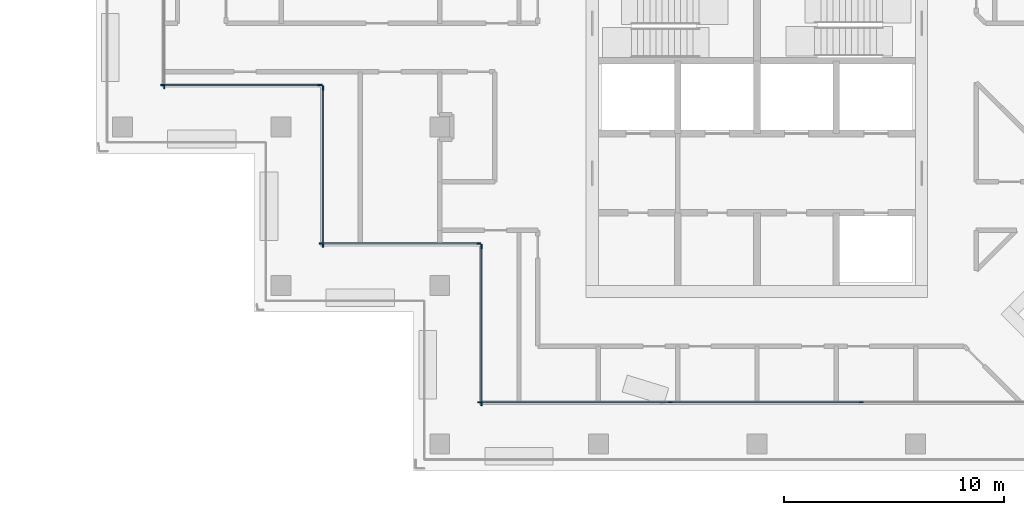
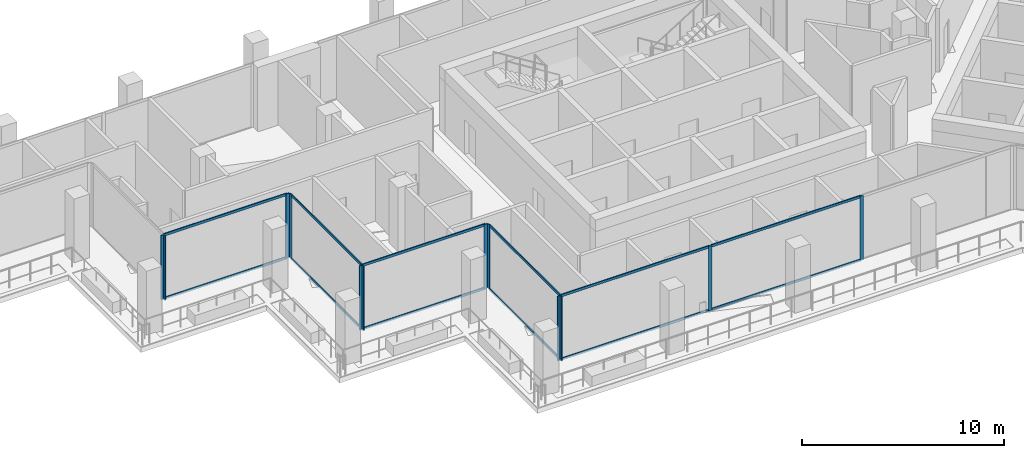
# One storey, part 2 of 19: 24 members, 6 elements without a shape of their own.
"""IFC4 building model written with IfcOpenShell, lengths in metres."""

from ifc_helpers import new_model, si_unit, direction, frame, origin, origin_2d, place, context, subcontext, project, spatial, rectangle, extrude, material, material_profile, profile_set, type_object, element, aggregate, save


model = new_model("IFC4")

# Units and contexts
model_context = context("Model", 3, precision=1e-05, world=origin(), true_north=direction((0.0, 1.0)))
body_context = subcontext(model_context, "Body", "Model", "MODEL_VIEW")
ifc_project = project(units=[si_unit("LENGTHUNIT", "METRE"), si_unit("AREAUNIT", "SQUARE_METRE"), si_unit("VOLUMEUNIT", "CUBIC_METRE"), si_unit("PLANEANGLEUNIT", "RADIAN"), si_unit("MASSUNIT", "GRAM", prefix="KILO")], contexts=[model_context])

# Site, building, storey
site_placement = place(None, origin())
site = spatial("IfcSite", under=ifc_project, at=site_placement, CompositionType="ELEMENT")
building_placement = place(site_placement, origin())
building = spatial("IfcBuilding", under=site, at=building_placement, Name="Windrow Commons", CompositionType="ELEMENT")
storey_placement = place(building_placement, frame((0.0, 0.0, 185.4)))
storey = spatial("IfcBuildingStorey", under=building, at=storey_placement, Name="L50", CompositionType="ELEMENT", Elevation=185.4)

# Curtain wall, member
ifc_material_1 = material(Name="Clear laminated glass in Aluminium 6063-T6 anodised frame", Category="aluminium")
curtain_wall_type = type_object("IfcCurtainWallType", Name="Curtain wall CW2H sky lounge upper", PredefinedType="USERDEFINED", material=ifc_material_1)
placement = place(storey_placement, origin())
curtain_wall_1 = element("IfcCurtainWall", 1, at=placement, inside=storey, type_object=curtain_wall_type, Name="Curtain wall CW2H L50 7", ObjectType="UNITISED", PredefinedType="USERDEFINED")
ifc_material_2 = material(Name="Aluminium 6063-T6", Category="aluminium")
ifc_material_profile_1 = material_profile(ifc_material_2, rectangle(XDim=0.06, YDim=0.2, at=origin_2d()))
ifc_profile_set_1 = profile_set([ifc_material_profile_1], Name="Aluminium 6063-T6")
member_type_1 = type_object("IfcMemberType", Name="CW2H mullion 60x200", PredefinedType="MULLION", material=ifc_profile_set_1)
member_1_placement = place(storey_placement, frame((37.9, 59.43, 0.0), z_axis=(0.0, 0.0, 1.0), x_axis=(1.0, 0.0, 0.0)))
member_1 = element("IfcMember", 2, at=member_1_placement, type_object=member_type_1, Name="CW2H mullion 2", PredefinedType="MULLION", context=body_context, shape_type="SweptSolid", body=[
    extrude(rectangle(XDim=0.06, YDim=0.2, at=origin_2d()), origin(), (0.0, 0.0, 1.0), 3.9),
])
aggregate(curtain_wall_1, [member_1])

# Curtain wall, members
curtain_wall_2 = element("IfcCurtainWall", 3, at=placement, inside=storey, type_object=curtain_wall_type, Name="Curtain wall CW2H L50 8", ObjectType="UNITISED", PredefinedType="USERDEFINED")
member_2_placement = place(storey_placement, frame((37.83, 59.5, 0.0), z_axis=(0.0, 0.0, 1.0), x_axis=(0.0, 1.0, 0.0)))
member_2 = element("IfcMember", 4, at=member_2_placement, type_object=member_type_1, Name="CW2H mullion 1", PredefinedType="MULLION", context=body_context, shape_type="SweptSolid", body=[
    extrude(rectangle(XDim=0.06, YDim=0.2, at=origin_2d()), origin(), (0.0, 0.0, 1.0), 3.9),
])
member_3_placement = place(storey_placement, frame((44.97, 59.5, 0.0), z_axis=(0.0, 0.0, 1.0), x_axis=(0.0, 1.0, 0.0)))
member_3 = element("IfcMember", 5, at=member_3_placement, type_object=member_type_1, Name="CW2H mullion 2", PredefinedType="MULLION", context=body_context, shape_type="SweptSolid", body=[
    extrude(rectangle(XDim=0.06, YDim=0.2, at=origin_2d()), origin(), (0.0, 0.0, 1.0), 3.9),
])

curtain_wall_3 = element("IfcCurtainWall", 6, at=placement, inside=storey, type_object=curtain_wall_type, Name="Curtain wall CW2H L50 9", ObjectType="UNITISED", PredefinedType="USERDEFINED")
member_4_placement = place(storey_placement, frame((45.1, 59.37, 0.0), z_axis=(0.0, 0.0, 1.0), x_axis=(1.0, 0.0, 0.0)))
member_4 = element("IfcMember", 7, at=member_4_placement, type_object=member_type_1, Name="CW2H mullion 1", PredefinedType="MULLION", context=body_context, shape_type="SweptSolid", body=[
    extrude(rectangle(XDim=0.06, YDim=0.2, at=origin_2d()), origin(), (0.0, 0.0, 1.0), 3.9),
])
member_5_placement = place(storey_placement, frame((45.1, 52.23, 0.0), z_axis=(0.0, 0.0, 1.0), x_axis=(1.0, 0.0, 0.0)))
member_5 = element("IfcMember", 8, at=member_5_placement, type_object=member_type_1, Name="CW2H mullion 2", PredefinedType="MULLION", context=body_context, shape_type="SweptSolid", body=[
    extrude(rectangle(XDim=0.06, YDim=0.2, at=origin_2d()), origin(), (0.0, 0.0, 1.0), 3.9),
])

curtain_wall_4 = element("IfcCurtainWall", 9, at=placement, inside=storey, type_object=curtain_wall_type, Name="Curtain wall CW2H L50 10", ObjectType="UNITISED", PredefinedType="USERDEFINED")
member_6_placement = place(storey_placement, frame((45.03, 52.3, 0.0), z_axis=(0.0, 0.0, 1.0), x_axis=(0.0, 1.0, 0.0)))
member_6 = element("IfcMember", 10, at=member_6_placement, type_object=member_type_1, Name="CW2H mullion 1", PredefinedType="MULLION", context=body_context, shape_type="SweptSolid", body=[
    extrude(rectangle(XDim=0.06, YDim=0.2, at=origin_2d()), origin(), (0.0, 0.0, 1.0), 3.9),
])
member_7_placement = place(storey_placement, frame((52.17, 52.3, 0.0), z_axis=(0.0, 0.0, 1.0), x_axis=(0.0, 1.0, 0.0)))
member_7 = element("IfcMember", 11, at=member_7_placement, type_object=member_type_1, Name="CW2H mullion 2", PredefinedType="MULLION", context=body_context, shape_type="SweptSolid", body=[
    extrude(rectangle(XDim=0.06, YDim=0.2, at=origin_2d()), origin(), (0.0, 0.0, 1.0), 3.9),
])

curtain_wall_5 = element("IfcCurtainWall", 12, at=placement, inside=storey, type_object=curtain_wall_type, Name="Curtain wall CW2H L50 11", ObjectType="UNITISED", PredefinedType="USERDEFINED")
member_8_placement = place(storey_placement, frame((52.3, 52.17, 0.0), z_axis=(0.0, 0.0, 1.0), x_axis=(1.0, 0.0, 0.0)))
member_8 = element("IfcMember", 13, at=member_8_placement, type_object=member_type_1, Name="CW2H mullion 1", PredefinedType="MULLION", context=body_context, shape_type="SweptSolid", body=[
    extrude(rectangle(XDim=0.06, YDim=0.2, at=origin_2d()), origin(), (0.0, 0.0, 1.0), 3.9),
])
member_9_placement = place(storey_placement, frame((52.3, 45.03, 0.0), z_axis=(0.0, 0.0, 1.0), x_axis=(1.0, 0.0, 0.0)))
member_9 = element("IfcMember", 14, at=member_9_placement, type_object=member_type_1, Name="CW2H mullion 2", PredefinedType="MULLION", context=body_context, shape_type="SweptSolid", body=[
    extrude(rectangle(XDim=0.06, YDim=0.2, at=origin_2d()), origin(), (0.0, 0.0, 1.0), 3.9),
])

curtain_wall_6 = element("IfcCurtainWall", 15, at=placement, inside=storey, type_object=curtain_wall_type, Name="Curtain wall CW2H L50 12", ObjectType="UNITISED", PredefinedType="USERDEFINED")
member_10_placement = place(storey_placement, frame((52.23, 45.1, 0.0), z_axis=(0.0, 0.0, 1.0), x_axis=(0.0, 1.0, 0.0)))
member_10 = element("IfcMember", 16, at=member_10_placement, type_object=member_type_1, Name="CW2H mullion 1", PredefinedType="MULLION", context=body_context, shape_type="SweptSolid", body=[
    extrude(rectangle(XDim=0.06, YDim=0.2, at=origin_2d()), origin(), (0.0, 0.0, 1.0), 3.9),
])
member_11_placement = place(storey_placement, frame((60.8662, 45.1, 0.0), z_axis=(0.0, 0.0, 1.0), x_axis=(0.0, 1.0, 0.0)))
member_11 = element("IfcMember", 17, at=member_11_placement, type_object=member_type_1, Name="CW2H mullion 2", PredefinedType="MULLION", context=body_context, shape_type="SweptSolid", body=[
    extrude(rectangle(XDim=0.06, YDim=0.2, at=origin_2d()), origin(), (0.0, 0.0, 1.0), 3.9),
])
member_12_placement = place(storey_placement, frame((69.5324, 45.1, 0.0), z_axis=(0.0, 0.0, 1.0), x_axis=(0.0, 1.0, 0.0)))
member_12 = element("IfcMember", 18, at=member_12_placement, type_object=member_type_1, Name="CW2H mullion 3", PredefinedType="MULLION", context=body_context, shape_type="SweptSolid", body=[
    extrude(rectangle(XDim=0.06, YDim=0.2, at=origin_2d()), origin(), (0.0, 0.0, 1.0), 3.9),
])

# Member
ifc_material_3 = material(Name="Aluminium 6063-T6", Category="aluminium")
ifc_material_profile_2 = material_profile(ifc_material_3, rectangle(XDim=0.06, YDim=0.15, at=origin_2d()))
ifc_profile_set_2 = profile_set([ifc_material_profile_2], Name="Aluminium 6063-T6")
member_type_2 = type_object("IfcMemberType", Name="CW2H transom 60x150", PredefinedType="USERDEFINED", material=ifc_profile_set_2)
member_13_placement = place(storey_placement, frame((37.86, 59.5, 0.03), z_axis=(1.0, 0.0, 0.0), x_axis=(0.0, 1.0, 0.0)))
member_13 = element("IfcMember", 19, at=member_13_placement, type_object=member_type_2, Name="CW2H transom 1.1", ObjectType="TRANSOM", PredefinedType="USERDEFINED", context=body_context, shape_type="SweptSolid", body=[
    extrude(rectangle(XDim=0.06, YDim=0.15, at=origin_2d()), origin(), (0.0, 0.0, 1.0), 7.08),
])

member_14_placement = place(storey_placement, frame((37.86, 59.5, 3.87), z_axis=(1.0, 0.0, 0.0), x_axis=(0.0, 1.0, 0.0)))
member_14 = element("IfcMember", 20, at=member_14_placement, type_object=member_type_2, Name="CW2H transom 1.2", ObjectType="TRANSOM", PredefinedType="USERDEFINED", context=body_context, shape_type="SweptSolid", body=[
    extrude(rectangle(XDim=0.06, YDim=0.15, at=origin_2d()), origin(), (0.0, 0.0, 1.0), 7.08),
])

aggregate(curtain_wall_2, [member_2, member_3, member_13, member_14])

member_15_placement = place(storey_placement, frame((45.1, 59.34, 0.03), z_axis=(0.0, -1.0, 0.0), x_axis=(1.0, 0.0, 0.0)))
member_15 = element("IfcMember", 21, at=member_15_placement, type_object=member_type_2, Name="CW2H transom 1.1", ObjectType="TRANSOM", PredefinedType="USERDEFINED", context=body_context, shape_type="SweptSolid", body=[
    extrude(rectangle(XDim=0.06, YDim=0.15, at=origin_2d()), origin(), (0.0, 0.0, 1.0), 7.08),
])

member_16_placement = place(storey_placement, frame((45.1, 59.34, 3.87), z_axis=(0.0, -1.0, 0.0), x_axis=(1.0, 0.0, 0.0)))
member_16 = element("IfcMember", 22, at=member_16_placement, type_object=member_type_2, Name="CW2H transom 1.2", ObjectType="TRANSOM", PredefinedType="USERDEFINED", context=body_context, shape_type="SweptSolid", body=[
    extrude(rectangle(XDim=0.06, YDim=0.15, at=origin_2d()), origin(), (0.0, 0.0, 1.0), 7.08),
])

aggregate(curtain_wall_3, [member_4, member_5, member_15, member_16])

member_17_placement = place(storey_placement, frame((45.06, 52.3, 0.03), z_axis=(1.0, 0.0, 0.0), x_axis=(0.0, 1.0, 0.0)))
member_17 = element("IfcMember", 23, at=member_17_placement, type_object=member_type_2, Name="CW2H transom 1.1", ObjectType="TRANSOM", PredefinedType="USERDEFINED", context=body_context, shape_type="SweptSolid", body=[
    extrude(rectangle(XDim=0.06, YDim=0.15, at=origin_2d()), origin(), (0.0, 0.0, 1.0), 7.08),
])

member_18_placement = place(storey_placement, frame((45.06, 52.3, 3.87), z_axis=(1.0, 0.0, 0.0), x_axis=(0.0, 1.0, 0.0)))
member_18 = element("IfcMember", 24, at=member_18_placement, type_object=member_type_2, Name="CW2H transom 1.2", ObjectType="TRANSOM", PredefinedType="USERDEFINED", context=body_context, shape_type="SweptSolid", body=[
    extrude(rectangle(XDim=0.06, YDim=0.15, at=origin_2d()), origin(), (0.0, 0.0, 1.0), 7.08),
])

aggregate(curtain_wall_4, [member_6, member_7, member_17, member_18])

member_19_placement = place(storey_placement, frame((52.3, 52.14, 0.03), z_axis=(0.0, -1.0, 0.0), x_axis=(1.0, 0.0, 0.0)))
member_19 = element("IfcMember", 25, at=member_19_placement, type_object=member_type_2, Name="CW2H transom 1.1", ObjectType="TRANSOM", PredefinedType="USERDEFINED", context=body_context, shape_type="SweptSolid", body=[
    extrude(rectangle(XDim=0.06, YDim=0.15, at=origin_2d()), origin(), (0.0, 0.0, 1.0), 7.08),
])

member_20_placement = place(storey_placement, frame((52.3, 52.14, 3.87), z_axis=(0.0, -1.0, 0.0), x_axis=(1.0, 0.0, 0.0)))
member_20 = element("IfcMember", 26, at=member_20_placement, type_object=member_type_2, Name="CW2H transom 1.2", ObjectType="TRANSOM", PredefinedType="USERDEFINED", context=body_context, shape_type="SweptSolid", body=[
    extrude(rectangle(XDim=0.06, YDim=0.15, at=origin_2d()), origin(), (0.0, 0.0, 1.0), 7.08),
])

aggregate(curtain_wall_5, [member_8, member_9, member_19, member_20])

member_21_placement = place(storey_placement, frame((52.26, 45.1, 0.03), z_axis=(1.0, 0.0, 0.0), x_axis=(0.0, 1.0, 0.0)))
member_21 = element("IfcMember", 27, at=member_21_placement, type_object=member_type_2, Name="CW2H transom 1.1", ObjectType="TRANSOM", PredefinedType="USERDEFINED", context=body_context, shape_type="SweptSolid", body=[
    extrude(rectangle(XDim=0.06, YDim=0.15, at=origin_2d()), origin(), (0.0, 0.0, 1.0), 8.5762),
])

member_22_placement = place(storey_placement, frame((52.26, 45.1, 3.87), z_axis=(1.0, 0.0, 0.0), x_axis=(0.0, 1.0, 0.0)))
member_22 = element("IfcMember", 28, at=member_22_placement, type_object=member_type_2, Name="CW2H transom 1.2", ObjectType="TRANSOM", PredefinedType="USERDEFINED", context=body_context, shape_type="SweptSolid", body=[
    extrude(rectangle(XDim=0.06, YDim=0.15, at=origin_2d()), origin(), (0.0, 0.0, 1.0), 8.5762),
])

member_23_placement = place(storey_placement, frame((60.8962, 45.1, 0.03), z_axis=(1.0, 0.0, 0.0), x_axis=(0.0, 1.0, 0.0)))
member_23 = element("IfcMember", 29, at=member_23_placement, type_object=member_type_2, Name="CW2H transom 2.1", ObjectType="TRANSOM", PredefinedType="USERDEFINED", context=body_context, shape_type="SweptSolid", body=[
    extrude(rectangle(XDim=0.06, YDim=0.15, at=origin_2d()), origin(), (0.0, 0.0, 1.0), 8.6062),
])

member_24_placement = place(storey_placement, frame((60.8962, 45.1, 3.87), z_axis=(1.0, 0.0, 0.0), x_axis=(0.0, 1.0, 0.0)))
member_24 = element("IfcMember", 30, at=member_24_placement, type_object=member_type_2, Name="CW2H transom 2.2", ObjectType="TRANSOM", PredefinedType="USERDEFINED", context=body_context, shape_type="SweptSolid", body=[
    extrude(rectangle(XDim=0.06, YDim=0.15, at=origin_2d()), origin(), (0.0, 0.0, 1.0), 8.6062),
])

aggregate(curtain_wall_6, [member_10, member_11, member_12, member_21, member_22, member_23, member_24])

save(model, "model.ifc")
